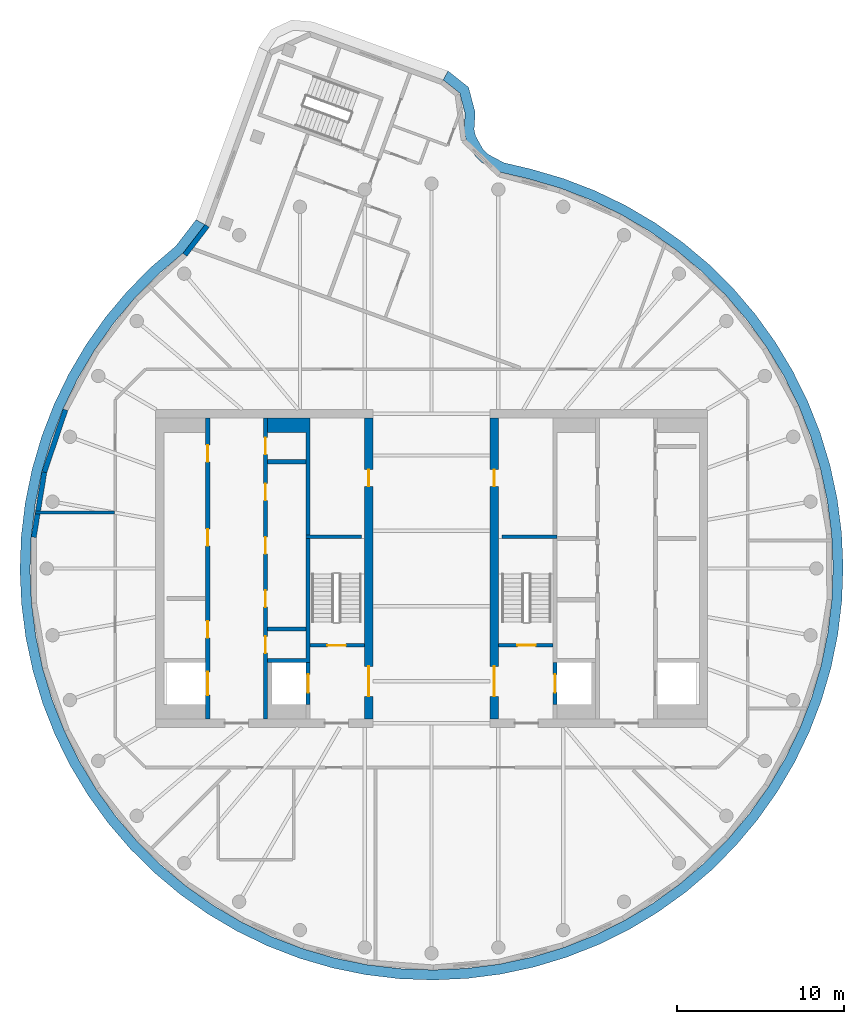
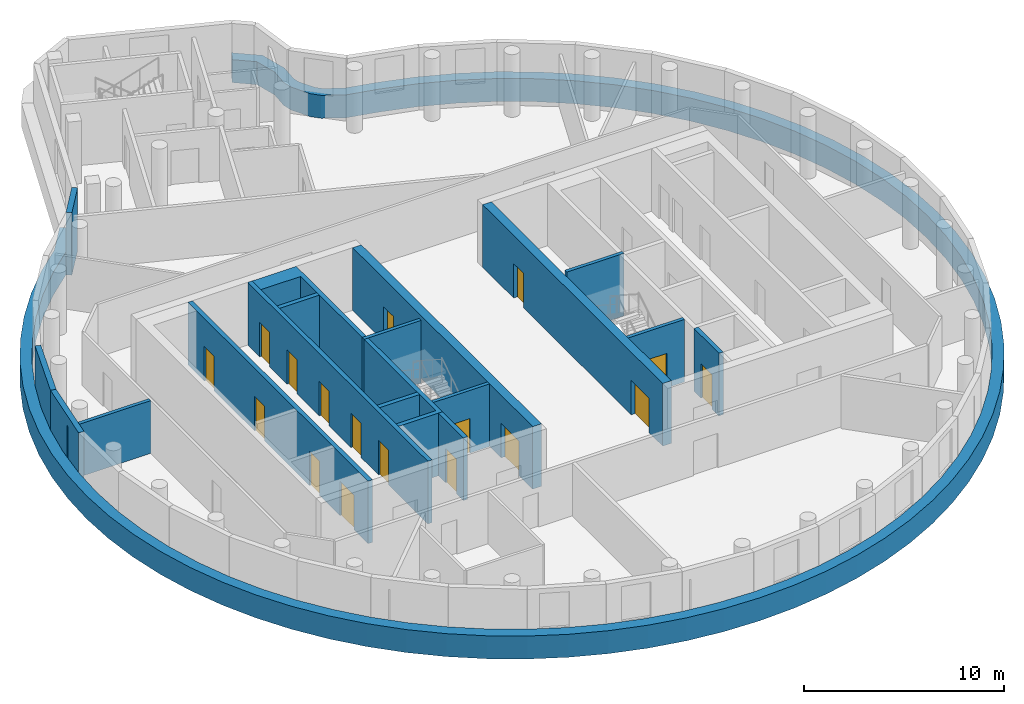
# One storey, part 3 of 7: 17 doors, 17 walls, 1 member, 17 openings.
"""IFC4 building model written with IfcOpenShell, lengths in metres."""

from ifc_helpers import new_model, si_unit, direction, frame, frame_2d, origin, place, context, subcontext, project, spatial, polyline, rectangle, outline, extrude, material, layer, layer_set, type_object, element, fill, aggregate, save


model = new_model("IFC4")

# Units and contexts
model_context = context("Model", 3, precision=1e-05, world=origin(), true_north=direction((0.0, 1.0)))
body_context = subcontext(model_context, "Body", "Model", "MODEL_VIEW")
ifc_project = project(units=[si_unit("LENGTHUNIT", "METRE"), si_unit("AREAUNIT", "SQUARE_METRE"), si_unit("VOLUMEUNIT", "CUBIC_METRE"), si_unit("PLANEANGLEUNIT", "RADIAN"), si_unit("MASSUNIT", "GRAM", prefix="KILO")], contexts=[model_context])

# Member
ifc_material_1 = material(Name="Aluminium and insulated spandrel panel", Category="aluminium")
member_type = type_object("IfcMemberType", Name="Floor-edge blade transom", PredefinedType="USERDEFINED", material=ifc_material_1)
site_placement = place(None, origin())
building_placement = place(site_placement, origin())
storey_placement = place(building_placement, frame((0.0, 0.0, 321.39990234375)))
member_placement = place(storey_placement, origin())
member = element("IfcMember", 1, at=member_placement, type_object=member_type, Name="CWT-L79-02", ObjectType="TRANSOM", PredefinedType="USERDEFINED", context=body_context, shape_type="SweptSolid", body=[
    extrude(outline(polyline([(-13.54248046875, 20.54736328125), (-14.847900390625, 18.848876953125), (-16.327880859375, 17.584228515625), (-17.72412109375, 16.17578125), (-18.99951171875, 14.656982421875), (-20.14501953125, 13.0380859375), (-21.15283203125, 11.329833984375), (-22.01611328125, 9.54443359375), (-22.72900390625, 7.69384765625), (-23.286865234375, 5.79052734375), (-23.685546875, 3.84765625), (-23.92236328125, 1.878662109375), (-23.995849609375, -0.103271484375), (-23.9052734375, -2.08447265625), (-23.6513671875, -4.051513671875), (-23.236083984375, -5.99072265625), (-22.662109375, -7.88916015625), (-21.93310546875, -9.733642578125), (-21.054443359375, -11.511474609375), (-20.031982421875, -13.2109375), (-18.87255859375, -14.820068359375), (-17.584228515625, -16.327880859375), (-16.17578125, -17.72412109375), (-14.656982421875, -18.99951171875), (-13.0380859375, -20.14501953125), (-11.329833984375, -21.15283203125), (-9.54443359375, -22.01611328125), (-7.69384765625, -22.72900390625), (-5.79052734375, -23.286865234375), (-3.84765625, -23.685546875), (-1.878662109375, -23.92236328125), (0.103271484375, -23.995849609375), (2.08447265625, -23.9052734375), (4.051513671875, -23.6513671875), (5.99072265625, -23.236083984375), (7.88916015625, -22.662109375), (9.733642578125, -21.93310546875), (11.511474609375, -21.054443359375), (13.2109375, -20.031982421875), (14.820068359375, -18.87255859375), (16.327880859375, -17.584228515625), (17.72412109375, -16.17578125), (18.99951171875, -14.656982421875), (20.14501953125, -13.0380859375), (21.15283203125, -11.329833984375), (22.01611328125, -9.54443359375), (22.72900390625, -7.69384765625), (23.286865234375, -5.79052734375), (23.685546875, -3.84765625), (23.92236328125, -1.878662109375), (23.995849609375, 0.103271484375), (23.9052734375, 2.08447265625), (23.6513671875, 4.051513671875), (23.236083984375, 5.99072265625), (22.662109375, 7.88916015625), (21.93310546875, 9.733642578125), (21.054443359375, 11.511474609375), (20.031982421875, 13.2109375), (18.87255859375, 14.820068359375), (17.584228515625, 16.327880859375), (16.17578125, 17.72412109375), (14.656982421875, 18.99951171875), (13.0380859375, 20.14501953125), (11.329833984375, 21.15283203125), (9.54443359375, 22.01611328125), (7.69384765625, 22.72900390625), (5.79052734375, 23.286865234375), (4.106689453125, 23.68115234375), (2.99658203125, 24.276123046875), (2.603515625, 24.663330078125), (2.0615234375, 25.6376953125), (1.940185546875, 26.176025390625), (2.004638671875, 27.190673828125), (1.6826171875, 28.412353515625), (0.692626953125, 29.197021484375), (0.9892578125, 29.7275390625), (2.2119140625, 28.75830078125), (2.609619140625, 27.249755859375), (2.54443359375, 26.223876953125), (2.6279296875, 25.85400390625), (3.0859375, 25.0302734375), (3.356201171875, 24.76416015625), (4.3203125, 24.247314453125), (5.943359375, 23.8671875), (7.88623046875, 23.2978515625), (9.783203125, 22.567138671875), (11.613525390625, 21.68212890625), (13.3642578125, 20.64892578125), (15.023681640625, 19.474853515625), (16.580810546875, 18.167724609375), (18.0244140625, 16.736572265625), (19.344970703125, 15.19091796875), (20.533203125, 13.54150390625), (21.581298828125, 11.799560546875), (22.482177734375, 9.97705078125), (23.229248046875, 8.08642578125), (23.817626953125, 6.140625), (24.243408203125, 4.15283203125), (24.50341796875, 2.13671875), (24.59619140625, 0.10595703125), (24.52099609375, -1.925537109375), (24.2783203125, -3.944091796875), (23.86962890625, -5.935302734375), (23.2978515625, -7.88623046875), (22.567138671875, -9.783203125), (21.68212890625, -11.613525390625), (20.64892578125, -13.3642578125), (19.474853515625, -15.023681640625), (18.167724609375, -16.580810546875), (16.736572265625, -18.0244140625), (15.19091796875, -19.344970703125), (13.54150390625, -20.533203125), (11.799560546875, -21.581298828125), (9.97705078125, -22.482177734375), (8.08642578125, -23.229248046875), (6.140625, -23.817626953125), (4.15283203125, -24.243408203125), (2.13671875, -24.50341796875), (0.10595703125, -24.59619140625), (-1.925537109375, -24.52099609375), (-3.944091796875, -24.2783203125), (-5.935302734375, -23.86962890625), (-7.88623046875, -23.2978515625), (-9.783203125, -22.567138671875), (-11.613525390625, -21.68212890625), (-13.3642578125, -20.64892578125), (-15.023681640625, -19.474853515625), (-16.580810546875, -18.167724609375), (-18.0244140625, -16.736572265625), (-19.344970703125, -15.19091796875), (-20.533203125, -13.54150390625), (-21.581298828125, -11.799560546875), (-22.482177734375, -9.97705078125), (-23.229248046875, -8.08642578125), (-23.817626953125, -6.140625), (-24.243408203125, -4.15283203125), (-24.50341796875, -2.13671875), (-24.59619140625, -0.10595703125), (-24.52099609375, 1.925537109375), (-24.2783203125, 3.944091796875), (-23.86962890625, 5.935302734375), (-23.2978515625, 7.88623046875), (-22.567138671875, 9.783203125), (-21.68212890625, 11.613525390625), (-20.64892578125, 13.3642578125), (-19.474853515625, 15.023681640625), (-18.167724609375, 16.580810546875), (-16.736572265625, 18.0244140625), (-15.285400390625, 19.264404296875), (-14.07470703125, 20.839599609375), (-13.54248046875, 20.54736328125)])), origin(), (0.0, 0.0, 1.0), 1.400146484375),
])

# Site, building, storey
site = spatial("IfcSite", under=ifc_project, at=site_placement, CompositionType="ELEMENT")
building = spatial("IfcBuilding", under=site, at=building_placement, Name="Tamarind Cross Interchange Tower", CompositionType="ELEMENT")
storey = spatial("IfcBuildingStorey", under=building, at=storey_placement, Name="L79", CompositionType="ELEMENT", Elevation=321.39990234375)

# Wall, openings, doors
ifc_material_2 = material(Name="Concrete C50", Category="concrete")
ifc_layer_1 = layer(ifc_material_2, 0.5)
ifc_layer_set_1 = layer_set([ifc_layer_1], Name="Concrete C50")
wall_type_1 = type_object("IfcWallType", Name="Core wall 500 mm Concrete C50", PredefinedType="SHEAR", material=ifc_layer_set_1)
wall_1_placement = place(storey_placement, frame((-3.75, -9.0, 0.0), z_axis=(0.0, 0.0, 1.0), x_axis=(0.0, 1.0, 0.0)))
wall_1 = element("IfcWall", 2, at=wall_1_placement, inside=storey, type_object=wall_type_1, Name="Core wall CWL-L79-W-IN", PredefinedType="SHEAR", context=body_context, shape_type="SweptSolid", body=[
    extrude(rectangle(XDim=18.0, YDim=0.5, at=frame_2d((9.0, 0.0))), origin(), (0.0, 0.0, 1.0), 3.820068359375),
])
opening_1_placement = place(wall_1_placement, frame((1.35009765625, 0.0, 0.0)))
opening_1 = element("IfcOpeningElement", 3, at=opening_1_placement, cuts=wall_1, Name="Opening DCW4", PredefinedType="OPENING", context=body_context, shape_type="SweptSolid", body=[
    extrude(rectangle(XDim=1.800048828125, YDim=2.10009765625, at=frame_2d((0.89990234375, 1.050048828125))), frame((0.0, 0.260009765625, 0.0), z_axis=(0.0, -1.0, 0.0), x_axis=(1.0, 0.0, 0.0)), (0.0, 0.0, 1.0), 0.52001953125),
])
opening_2_placement = place(wall_1_placement, frame((13.89990234375, 0.0, 0.0)))
opening_2 = element("IfcOpeningElement", 4, at=opening_2_placement, cuts=wall_1, Name="Opening DCW5", PredefinedType="OPENING", context=body_context, shape_type="SweptSolid", body=[
    extrude(rectangle(XDim=1.0, YDim=2.10009765625, at=frame_2d((0.5, 1.050048828125))), frame((0.0, 0.260009765625, 0.0), z_axis=(0.0, -1.0, 0.0), x_axis=(1.0, 0.0, 0.0)), (0.0, 0.0, 1.0), 0.52001953125),
])
ifc_material_3 = material(Name="Steel, fire-resisting", Category="steel")
door_type_1 = type_object("IfcDoorType", Name="Core fire door 1000 x 2100 FD90", OperationType="SINGLE_SWING_LEFT", PredefinedType="DOOR", material=ifc_material_3)
door_1_placement = place(opening_2_placement, origin())
door_1 = element("IfcDoor", 5, at=door_1_placement, inside=storey, type_object=door_type_1, Name="L79 riser room door", OperationType="SINGLE_SWING_LEFT", OverallHeight=2.10009765625, OverallWidth=1.0, PredefinedType="DOOR", context=body_context, shape_type="SweptSolid", body=[
    extrude(rectangle(XDim=1.0, YDim=2.10009765625, at=frame_2d((0.5, 1.050048828125))), frame((0.0, 0.02490234375, 0.0), z_axis=(0.0, -1.0, 0.0), x_axis=(1.0, 0.0, 0.0)), (0.0, 0.0, 1.0), 0.050048828125),
])
fill(opening_2, door_1)
door_type_2 = type_object("IfcDoorType", Name="Core fire door 1800 x 2100 FD90", OperationType="SINGLE_SWING_LEFT", PredefinedType="DOOR", material=ifc_material_3)
door_2_placement = place(opening_1_placement, origin())
door_2 = element("IfcDoor", 6, at=door_2_placement, inside=storey, type_object=door_type_2, Name="L79 firefighting lobby door", OperationType="SINGLE_SWING_LEFT", OverallHeight=2.10009765625, OverallWidth=1.800048828125, PredefinedType="DOOR", context=body_context, shape_type="SweptSolid", body=[
    extrude(rectangle(XDim=1.800048828125, YDim=2.10009765625, at=frame_2d((0.89990234375, 1.050048828125))), frame((0.0, 0.02490234375, 0.0), z_axis=(0.0, -1.0, 0.0), x_axis=(1.0, 0.0, 0.0)), (0.0, 0.0, 1.0), 0.050048828125),
])
fill(opening_1, door_2)

wall_2_placement = place(storey_placement, frame((3.75, -9.0, 0.0), z_axis=(0.0, 0.0, 1.0), x_axis=(0.0, 1.0, 0.0)))
wall_2 = element("IfcWall", 7, at=wall_2_placement, inside=storey, type_object=wall_type_1, Name="Core wall CWL-L79-E-IN", PredefinedType="SHEAR", context=body_context, shape_type="SweptSolid", body=[
    extrude(rectangle(XDim=18.0, YDim=0.5, at=frame_2d((9.0, 0.0))), origin(), (0.0, 0.0, 1.0), 3.820068359375),
])
opening_3_placement = place(wall_2_placement, frame((1.35009765625, 0.0, 0.0)))
opening_3 = element("IfcOpeningElement", 8, at=opening_3_placement, cuts=wall_2, Name="Opening DCE4", PredefinedType="OPENING", context=body_context, shape_type="SweptSolid", body=[
    extrude(rectangle(XDim=1.800048828125, YDim=2.10009765625, at=frame_2d((0.89990234375, 1.050048828125))), frame((0.0, 0.260009765625, 0.0), z_axis=(0.0, -1.0, 0.0), x_axis=(1.0, 0.0, 0.0)), (0.0, 0.0, 1.0), 0.52001953125),
])
opening_4_placement = place(wall_2_placement, frame((13.89990234375, 0.0, 0.0)))
opening_4 = element("IfcOpeningElement", 9, at=opening_4_placement, cuts=wall_2, Name="Opening DCE5", PredefinedType="OPENING", context=body_context, shape_type="SweptSolid", body=[
    extrude(rectangle(XDim=1.0, YDim=2.10009765625, at=frame_2d((0.5, 1.050048828125))), frame((0.0, 0.260009765625, 0.0), z_axis=(0.0, -1.0, 0.0), x_axis=(1.0, 0.0, 0.0)), (0.0, 0.0, 1.0), 0.52001953125),
])
door_3_placement = place(opening_4_placement, origin())
door_3 = element("IfcDoor", 10, at=door_3_placement, inside=storey, type_object=door_type_1, Name="L79 riser room door", OperationType="SINGLE_SWING_LEFT", OverallHeight=2.10009765625, OverallWidth=1.0, PredefinedType="DOOR", context=body_context, shape_type="SweptSolid", body=[
    extrude(rectangle(XDim=1.0, YDim=2.10009765625, at=frame_2d((0.5, 1.050048828125))), frame((0.0, 0.02490234375, 0.0), z_axis=(0.0, -1.0, 0.0), x_axis=(1.0, 0.0, 0.0)), (0.0, 0.0, 1.0), 0.050048828125),
])
fill(opening_4, door_3)
door_4_placement = place(opening_3_placement, origin())
door_4 = element("IfcDoor", 11, at=door_4_placement, inside=storey, type_object=door_type_2, Name="L79 firefighting lobby door", OperationType="SINGLE_SWING_LEFT", OverallHeight=2.10009765625, OverallWidth=1.800048828125, PredefinedType="DOOR", context=body_context, shape_type="SweptSolid", body=[
    extrude(rectangle(XDim=1.800048828125, YDim=2.10009765625, at=frame_2d((0.89990234375, 1.050048828125))), frame((0.0, 0.02490234375, 0.0), z_axis=(0.0, -1.0, 0.0), x_axis=(1.0, 0.0, 0.0)), (0.0, 0.0, 1.0), 0.050048828125),
])
fill(opening_3, door_4)

# Walls
ifc_layer_2 = layer(ifc_material_2, 0.199951171875)
ifc_layer_set_2 = layer_set([ifc_layer_2], Name="Concrete C50")
wall_type_2 = type_object("IfcWallType", Name="Core web wall 200 mm Concrete C50", PredefinedType="SHEAR", material=ifc_layer_set_2)
for number, where, z_axis, x_axis, name in (
    (12, (-7.5, 1.89990234375, 0.0), (0.0, 0.0, 1.0), (1.0, 0.0, 0.0), "Core wall CWL-L79-W-BD"),
    (13, (7.5, 1.89990234375, 0.0), (0.0, 0.0, 1.0), (-1.0, 0.0, 0.0), "Core wall CWL-L79-E-BD"),
):
    element("IfcWall", number, at=place(storey_placement, frame(where, z_axis=z_axis, x_axis=x_axis)), inside=storey, type_object=wall_type_2, Name=name, PredefinedType="SHEAR", context=body_context, shape_type="SweptSolid", body=[
        extrude(rectangle(XDim=3.300048828125, YDim=0.199951171875, at=frame_2d((1.64990234375, 0.0))), origin(), (0.0, 0.0, 1.0), 3.820068359375),
    ])
ifc_layer_3 = layer(ifc_material_2, 0.25)
ifc_layer_set_3 = layer_set([ifc_layer_3], Name="Concrete C50")
wall_type_3 = type_object("IfcWallType", Name="Core web wall 250 mm Concrete C50", PredefinedType="SHEAR", material=ifc_layer_set_3)
wall_3_placement = place(storey_placement, origin())
element("IfcWall", 14, at=wall_3_placement, inside=storey, type_object=wall_type_3, Name="Core wall CWL-L79-W-BN", PredefinedType="SHEAR", context=body_context, shape_type="SweptSolid", body=[
    extrude(outline(polyline([(-9.800048828125, -5.625), (-7.5, -5.625), (-7.25, -5.625), (-7.25, 9.0), (-7.5, 9.0), (-9.800048828125, 9.0), (-9.800048828125, 8.125), (-7.5, 8.125), (-7.5, -5.375), (-9.800048828125, -5.375), (-9.800048828125, -5.625)])), origin(), (0.0, 0.0, 1.0), 3.820068359375),
])

# Wall, openings, doors
wall_4_placement = place(storey_placement, frame((-13.375, -9.0, 0.0), z_axis=(0.0, 0.0, 1.0), x_axis=(0.0, 1.0, 0.0)))
wall_4 = element("IfcWall", 15, at=wall_4_placement, inside=storey, type_object=wall_type_3, Name="Core wall CWL-L79-W-LA", PredefinedType="SHEAR", context=body_context, shape_type="SweptSolid", body=[
    extrude(rectangle(XDim=18.0, YDim=0.25, at=frame_2d((9.0, 0.0))), origin(), (0.0, 0.0, 1.0), 3.820068359375),
])
opening_5_placement = place(wall_4_placement, frame((1.425048828125, 0.0, 0.0)))
opening_5 = element("IfcOpeningElement", 16, at=opening_5_placement, cuts=wall_4, Name="Opening LD1L79", PredefinedType="OPENING", context=body_context, shape_type="SweptSolid", body=[
    extrude(rectangle(XDim=1.39990234375, YDim=2.10009765625, at=frame_2d((0.699951171875, 1.050048828125))), frame((0.0, 0.135009765625, 0.0), z_axis=(0.0, -1.0, 0.0), x_axis=(1.0, 0.0, 0.0)), (0.0, 0.0, 1.0), 0.27001953125),
])
opening_6_placement = place(wall_4_placement, frame((4.85400390625, 0.0, 0.0)))
opening_6 = element("IfcOpeningElement", 17, at=opening_6_placement, cuts=wall_4, Name="Opening DCW9", PredefinedType="OPENING", context=body_context, shape_type="SweptSolid", body=[
    extrude(rectangle(XDim=1.0, YDim=2.10009765625, at=frame_2d((0.5, 1.050048828125))), frame((0.0, 0.135009765625, 0.0), z_axis=(0.0, -1.0, 0.0), x_axis=(1.0, 0.0, 0.0)), (0.0, 0.0, 1.0), 0.27001953125),
])
opening_7_placement = place(wall_4_placement, frame((10.35400390625, 0.0, 0.0)))
opening_7 = element("IfcOpeningElement", 18, at=opening_7_placement, cuts=wall_4, Name="Opening DCW10", PredefinedType="OPENING", context=body_context, shape_type="SweptSolid", body=[
    extrude(rectangle(XDim=1.0, YDim=2.10009765625, at=frame_2d((0.5, 1.050048828125))), frame((0.0, 0.135009765625, 0.0), z_axis=(0.0, -1.0, 0.0), x_axis=(1.0, 0.0, 0.0)), (0.0, 0.0, 1.0), 0.27001953125),
])
opening_8_placement = place(wall_4_placement, frame((15.375, 0.0, 0.0)))
opening_8 = element("IfcOpeningElement", 19, at=opening_8_placement, cuts=wall_4, Name="Opening DCW17", PredefinedType="OPENING", context=body_context, shape_type="SweptSolid", body=[
    extrude(rectangle(XDim=1.0, YDim=2.10009765625, at=frame_2d((0.5, 1.050048828125))), frame((0.0, 0.135009765625, 0.0), z_axis=(0.0, -1.0, 0.0), x_axis=(1.0, 0.0, 0.0)), (0.0, 0.0, 1.0), 0.27001953125),
])
door_5_placement = place(opening_6_placement, origin())
door_5 = element("IfcDoor", 20, at=door_5_placement, inside=storey, type_object=door_type_1, Name="L79 Storage room door", OperationType="SINGLE_SWING_LEFT", OverallHeight=2.10009765625, OverallWidth=1.0, PredefinedType="DOOR", context=body_context, shape_type="SweptSolid", body=[
    extrude(rectangle(XDim=1.0, YDim=2.10009765625, at=frame_2d((0.5, 1.050048828125))), frame((0.0, 0.02490234375, 0.0), z_axis=(0.0, -1.0, 0.0), x_axis=(1.0, 0.0, 0.0)), (0.0, 0.0, 1.0), 0.050048828125),
])
fill(opening_6, door_5)
door_6_placement = place(opening_7_placement, origin())
door_6 = element("IfcDoor", 21, at=door_6_placement, inside=storey, type_object=door_type_1, Name="L79 Battery room door", OperationType="SINGLE_SWING_LEFT", OverallHeight=2.10009765625, OverallWidth=1.0, PredefinedType="DOOR", context=body_context, shape_type="SweptSolid", body=[
    extrude(rectangle(XDim=1.0, YDim=2.10009765625, at=frame_2d((0.5, 1.050048828125))), frame((0.0, 0.02490234375, 0.0), z_axis=(0.0, -1.0, 0.0), x_axis=(1.0, 0.0, 0.0)), (0.0, 0.0, 1.0), 0.050048828125),
])
fill(opening_7, door_6)
door_7_placement = place(opening_8_placement, origin())
door_7 = element("IfcDoor", 22, at=door_7_placement, inside=storey, type_object=door_type_1, Name="L79 Plant room door", OperationType="SINGLE_SWING_LEFT", OverallHeight=2.10009765625, OverallWidth=1.0, PredefinedType="DOOR", context=body_context, shape_type="SweptSolid", body=[
    extrude(rectangle(XDim=1.0, YDim=2.10009765625, at=frame_2d((0.5, 1.050048828125))), frame((0.0, 0.02490234375, 0.0), z_axis=(0.0, -1.0, 0.0), x_axis=(1.0, 0.0, 0.0)), (0.0, 0.0, 1.0), 0.050048828125),
])
fill(opening_8, door_7)
ifc_material_4 = material(Name="Stainless steel panel", Category="steel")
door_type_3 = type_object("IfcDoorType", Name="Lift landing door 1400 x 2100 E 120", OperationType="SLIDING_TO_LEFT", PredefinedType="DOOR", material=ifc_material_4)
door_8_placement = place(opening_5_placement, origin())
door_8 = element("IfcDoor", 23, at=door_8_placement, inside=storey, type_object=door_type_3, Name="L79 landing door LF1", OperationType="SLIDING_TO_LEFT", OverallHeight=2.10009765625, OverallWidth=1.39990234375, PredefinedType="DOOR", context=body_context, shape_type="SweptSolid", body=[
    extrude(rectangle(XDim=1.39990234375, YDim=2.10009765625, at=frame_2d((0.699951171875, 1.050048828125))), frame((0.0, 0.02490234375, 0.0), z_axis=(0.0, -1.0, 0.0), x_axis=(1.0, 0.0, 0.0)), (0.0, 0.0, 1.0), 0.050048828125),
])
fill(opening_5, door_8)

wall_5_placement = place(storey_placement, frame((-9.925048828125, -9.0, 0.0), z_axis=(0.0, 0.0, 1.0), x_axis=(0.0, 1.0, 0.0)))
wall_5 = element("IfcWall", 24, at=wall_5_placement, inside=storey, type_object=wall_type_3, Name="Core wall CWL-L79-W-LB", PredefinedType="SHEAR", context=body_context, shape_type="SweptSolid", body=[
    extrude(rectangle(XDim=18.0, YDim=0.25, at=frame_2d((9.0, 0.0))), origin(), (0.0, 0.0, 1.0), 3.820068359375),
])
opening_9_placement = place(wall_5_placement, frame((3.9375, 0.0, 0.0)))
opening_9 = element("IfcOpeningElement", 25, at=opening_9_placement, cuts=wall_5, Name="Opening DCW21", PredefinedType="OPENING", context=body_context, shape_type="SweptSolid", body=[
    extrude(rectangle(XDim=1.0, YDim=2.10009765625, at=frame_2d((0.5, 1.050048828125))), frame((0.0, 0.135009765625, 0.0), z_axis=(0.0, -1.0, 0.0), x_axis=(1.0, 0.0, 0.0)), (0.0, 0.0, 1.0), 0.27001953125),
])
opening_10_placement = place(wall_5_placement, frame((6.6875, 0.0, 0.0)))
opening_10 = element("IfcOpeningElement", 26, at=opening_10_placement, cuts=wall_5, Name="Opening DCW22", PredefinedType="OPENING", context=body_context, shape_type="SweptSolid", body=[
    extrude(rectangle(XDim=1.0, YDim=2.10009765625, at=frame_2d((0.5, 1.050048828125))), frame((0.0, 0.135009765625, 0.0), z_axis=(0.0, -1.0, 0.0), x_axis=(1.0, 0.0, 0.0)), (0.0, 0.0, 1.0), 0.27001953125),
])
opening_11_placement = place(wall_5_placement, frame((9.875, 0.0, 0.0)))
opening_11 = element("IfcOpeningElement", 27, at=opening_11_placement, cuts=wall_5, Name="Opening DCW21", PredefinedType="OPENING", context=body_context, shape_type="SweptSolid", body=[
    extrude(rectangle(XDim=1.0, YDim=2.10009765625, at=frame_2d((0.5, 1.050048828125))), frame((0.0, 0.135009765625, 0.0), z_axis=(0.0, -1.0, 0.0), x_axis=(1.0, 0.0, 0.0)), (0.0, 0.0, 1.0), 0.27001953125),
])
opening_12_placement = place(wall_5_placement, frame((13.0625, 0.0, 0.0)))
opening_12 = element("IfcOpeningElement", 28, at=opening_12_placement, cuts=wall_5, Name="Opening DCW21", PredefinedType="OPENING", context=body_context, shape_type="SweptSolid", body=[
    extrude(rectangle(XDim=1.0, YDim=2.10009765625, at=frame_2d((0.5, 1.050048828125))), frame((0.0, 0.135009765625, 0.0), z_axis=(0.0, -1.0, 0.0), x_axis=(1.0, 0.0, 0.0)), (0.0, 0.0, 1.0), 0.27001953125),
])
opening_13_placement = place(wall_5_placement, frame((15.8125, 0.0, 0.0)))
opening_13 = element("IfcOpeningElement", 29, at=opening_13_placement, cuts=wall_5, Name="Opening DCW22", PredefinedType="OPENING", context=body_context, shape_type="SweptSolid", body=[
    extrude(rectangle(XDim=1.0, YDim=2.10009765625, at=frame_2d((0.5, 1.050048828125))), frame((0.0, 0.135009765625, 0.0), z_axis=(0.0, -1.0, 0.0), x_axis=(1.0, 0.0, 0.0)), (0.0, 0.0, 1.0), 0.27001953125),
])
door_9_placement = place(opening_9_placement, origin())
door_9 = element("IfcDoor", 30, at=door_9_placement, inside=storey, type_object=door_type_1, Name="L79 Switch room door", OperationType="SINGLE_SWING_LEFT", OverallHeight=2.10009765625, OverallWidth=1.0, PredefinedType="DOOR", context=body_context, shape_type="SweptSolid", body=[
    extrude(rectangle(XDim=1.0, YDim=2.10009765625, at=frame_2d((0.5, 1.050048828125))), frame((0.0, 0.02490234375, 0.0), z_axis=(0.0, -1.0, 0.0), x_axis=(1.0, 0.0, 0.0)), (0.0, 0.0, 1.0), 0.050048828125),
])
fill(opening_9, door_9)
door_10_placement = place(opening_10_placement, origin())
door_10 = element("IfcDoor", 31, at=door_10_placement, inside=storey, type_object=door_type_1, Name="L79 Pump room door", OperationType="SINGLE_SWING_LEFT", OverallHeight=2.10009765625, OverallWidth=1.0, PredefinedType="DOOR", context=body_context, shape_type="SweptSolid", body=[
    extrude(rectangle(XDim=1.0, YDim=2.10009765625, at=frame_2d((0.5, 1.050048828125))), frame((0.0, 0.02490234375, 0.0), z_axis=(0.0, -1.0, 0.0), x_axis=(1.0, 0.0, 0.0)), (0.0, 0.0, 1.0), 0.050048828125),
])
fill(opening_10, door_10)
door_11_placement = place(opening_11_placement, origin())
door_11 = element("IfcDoor", 32, at=door_11_placement, inside=storey, type_object=door_type_1, Name="L79 Pump room door", OperationType="SINGLE_SWING_LEFT", OverallHeight=2.10009765625, OverallWidth=1.0, PredefinedType="DOOR", context=body_context, shape_type="SweptSolid", body=[
    extrude(rectangle(XDim=1.0, YDim=2.10009765625, at=frame_2d((0.5, 1.050048828125))), frame((0.0, 0.02490234375, 0.0), z_axis=(0.0, -1.0, 0.0), x_axis=(1.0, 0.0, 0.0)), (0.0, 0.0, 1.0), 0.050048828125),
])
fill(opening_11, door_11)
door_12_placement = place(opening_12_placement, origin())
door_12 = element("IfcDoor", 33, at=door_12_placement, inside=storey, type_object=door_type_1, Name="L79 Battery room door", OperationType="SINGLE_SWING_LEFT", OverallHeight=2.10009765625, OverallWidth=1.0, PredefinedType="DOOR", context=body_context, shape_type="SweptSolid", body=[
    extrude(rectangle(XDim=1.0, YDim=2.10009765625, at=frame_2d((0.5, 1.050048828125))), frame((0.0, 0.02490234375, 0.0), z_axis=(0.0, -1.0, 0.0), x_axis=(1.0, 0.0, 0.0)), (0.0, 0.0, 1.0), 0.050048828125),
])
fill(opening_12, door_12)
door_13_placement = place(opening_13_placement, origin())
door_13 = element("IfcDoor", 34, at=door_13_placement, inside=storey, type_object=door_type_1, Name="L79 Switch room door", OperationType="SINGLE_SWING_LEFT", OverallHeight=2.10009765625, OverallWidth=1.0, PredefinedType="DOOR", context=body_context, shape_type="SweptSolid", body=[
    extrude(rectangle(XDim=1.0, YDim=2.10009765625, at=frame_2d((0.5, 1.050048828125))), frame((0.0, 0.02490234375, 0.0), z_axis=(0.0, -1.0, 0.0), x_axis=(1.0, 0.0, 0.0)), (0.0, 0.0, 1.0), 0.050048828125),
])
fill(opening_13, door_13)

# Wall, opening, door
wall_6_placement = place(storey_placement, frame((-7.375, -8.125, 0.0), z_axis=(0.0, 0.0, 1.0), x_axis=(0.0, 1.0, 0.0)))
wall_6 = element("IfcWall", 35, at=wall_6_placement, inside=storey, type_object=wall_type_3, Name="Core wall CWL-L79-W-FF", PredefinedType="SHEAR", context=body_context, shape_type="SweptSolid", body=[
    extrude(rectangle(XDim=2.5, YDim=0.25, at=frame_2d((1.25, 0.0))), origin(), (0.0, 0.0, 1.0), 3.820068359375),
])
opening_14_placement = place(wall_6_placement, frame((0.699951171875, 0.0, 0.0)))
opening_14 = element("IfcOpeningElement", 36, at=opening_14_placement, cuts=wall_6, Name="Opening LD7L79", PredefinedType="OPENING", context=body_context, shape_type="SweptSolid", body=[
    extrude(rectangle(XDim=1.10009765625, YDim=2.10009765625, at=frame_2d((0.550048828125, 1.050048828125))), frame((0.0, 0.135009765625, 0.0), z_axis=(0.0, -1.0, 0.0), x_axis=(1.0, 0.0, 0.0)), (0.0, 0.0, 1.0), 0.27001953125),
])
door_type_4 = type_object("IfcDoorType", Name="Lift landing door 1100 x 2100 E 120", OperationType="SLIDING_TO_LEFT", PredefinedType="DOOR", material=ifc_material_4)
door_14_placement = place(opening_14_placement, origin())
door_14 = element("IfcDoor", 37, at=door_14_placement, inside=storey, type_object=door_type_4, Name="L79 landing door LF7", OperationType="SLIDING_TO_LEFT", OverallHeight=2.10009765625, OverallWidth=1.10009765625, PredefinedType="DOOR", context=body_context, shape_type="SweptSolid", body=[
    extrude(rectangle(XDim=1.10009765625, YDim=2.10009765625, at=frame_2d((0.550048828125, 1.050048828125))), frame((0.0, 0.02490234375, 0.0), z_axis=(0.0, -1.0, 0.0), x_axis=(1.0, 0.0, 0.0)), (0.0, 0.0, 1.0), 0.050048828125),
])
fill(opening_14, door_14)

wall_7_placement = place(storey_placement, frame((7.375, -8.125, 0.0), z_axis=(0.0, 0.0, 1.0), x_axis=(0.0, 1.0, 0.0)))
wall_7 = element("IfcWall", 38, at=wall_7_placement, inside=storey, type_object=wall_type_3, Name="Core wall CWL-L79-E-FF", PredefinedType="SHEAR", context=body_context, shape_type="SweptSolid", body=[
    extrude(rectangle(XDim=2.5, YDim=0.25, at=frame_2d((1.25, 0.0))), origin(), (0.0, 0.0, 1.0), 3.820068359375),
])
opening_15_placement = place(wall_7_placement, frame((0.699951171875, 0.0, 0.0)))
opening_15 = element("IfcOpeningElement", 39, at=opening_15_placement, cuts=wall_7, Name="Opening LD19L79", PredefinedType="OPENING", context=body_context, shape_type="SweptSolid", body=[
    extrude(rectangle(XDim=1.10009765625, YDim=2.10009765625, at=frame_2d((0.550048828125, 1.050048828125))), frame((0.0, 0.135009765625, 0.0), z_axis=(0.0, -1.0, 0.0), x_axis=(1.0, 0.0, 0.0)), (0.0, 0.0, 1.0), 0.27001953125),
])
door_15_placement = place(opening_15_placement, origin())
door_15 = element("IfcDoor", 40, at=door_15_placement, inside=storey, type_object=door_type_4, Name="L79 landing door LF19", OperationType="SLIDING_TO_LEFT", OverallHeight=2.10009765625, OverallWidth=1.10009765625, PredefinedType="DOOR", context=body_context, shape_type="SweptSolid", body=[
    extrude(rectangle(XDim=1.10009765625, YDim=2.10009765625, at=frame_2d((0.550048828125, 1.050048828125))), frame((0.0, 0.02490234375, 0.0), z_axis=(0.0, -1.0, 0.0), x_axis=(1.0, 0.0, 0.0)), (0.0, 0.0, 1.0), 0.050048828125),
])
fill(opening_15, door_15)

# Wall
ifc_material_5 = material(Name="Gypsum board partition on steel studs", Category="steel")
ifc_layer_4 = layer(ifc_material_5, 0.199951171875)
ifc_layer_set_4 = layer_set([ifc_layer_4], Name="Gypsum board partition on steel studs")
wall_type_4 = type_object("IfcWallType", Name="Partition 200 mm EI 180", PredefinedType="PARTITIONING", material=ifc_layer_set_4)
wall_8_placement = place(storey_placement, frame((-23.68310546875, 3.347900390625, 0.0), z_axis=(0.0, 0.0, 1.0), x_axis=(1.0, 0.0, 0.0)))
element("IfcWall", 41, at=wall_8_placement, inside=storey, type_object=wall_type_4, Name="Partition L79-012", PredefinedType="PARTITIONING", context=body_context, shape_type="SweptSolid", body=[
    extrude(rectangle(XDim=4.72802734375, YDim=0.199951171875, at=frame_2d((2.364013671875, 0.0))), origin(), (0.0, 0.0, 1.0), 3.22021484375),
])

ifc_material_6 = material(Name="Precast concrete C40", Category="concrete")
ifc_layer_5 = layer(ifc_material_6, 0.300048828125)
ifc_layer_set_5 = layer_set([ifc_layer_5], Name="Precast concrete C40")
wall_type_5 = type_object("IfcWallType", Name="Plant louvre wall", PredefinedType="SOLIDWALL", material=ifc_layer_set_5)
wall_9_placement = place(storey_placement, frame((-13.409423828125, 20.474365234375, 0.0), z_axis=(0.0, 0.0, 1.0), x_axis=(-0.609396950442, -0.792865282877, 0.0)))
wall_9 = element("IfcWall", 42, at=wall_9_placement, inside=storey, type_object=wall_type_5, Name="EXW-L79-02-00", PredefinedType="SOLIDWALL", context=body_context, shape_type="SweptSolid", body=[
    extrude(rectangle(XDim=2.180908203125, YDim=0.300048828125, at=frame_2d((1.09033203125, 0.0))), origin(), (0.0, 0.0, 1.0), 3.820068359375),
])

aggregate(wall_9, [member])

# Walls
wall_10_placement = place(storey_placement, frame((-21.87841796875, 9.484619140625, 0.0), z_axis=(0.0, 0.0, 1.0), x_axis=(-0.320613287718, -0.947210177172, 0.0)))
element("IfcWall", 43, at=wall_10_placement, inside=storey, type_object=wall_type_5, Name="EXW-L79-02-04", PredefinedType="SOLIDWALL", context=body_context, shape_type="SweptSolid", body=[
    extrude(rectangle(XDim=3.9384765625, YDim=0.300048828125, at=frame_2d((1.96923828125, 0.0))), origin(), (0.0, 0.0, 1.0), 3.820068359375),
])
wall_11_placement = place(storey_placement, frame((-23.14111328125, 5.754150390625, 0.0), z_axis=(0.0, 0.0, 1.0), x_axis=(-0.160376439891, -0.987055924215, 0.0)))
element("IfcWall", 44, at=wall_11_placement, inside=storey, type_object=wall_type_5, Name="EXW-L79-02-05", PredefinedType="SOLIDWALL", context=body_context, shape_type="SweptSolid", body=[
    extrude(rectangle(XDim=3.938232421875, YDim=0.300048828125, at=frame_2d((1.96923828125, 0.0))), origin(), (0.0, 0.0, 1.0), 3.820068359375),
])
ifc_material_7 = material(Name="Concrete C40", Category="concrete")
ifc_layer_6 = layer(ifc_material_7, 0.25)
ifc_layer_set_6 = layer_set([ifc_layer_6], Name="Concrete C40")
wall_type_6 = type_object("IfcWallType", Name="Shaft and lobby wall 250 mm Concrete C40", PredefinedType="PARTITIONING", material=ifc_layer_set_6)
for number, where, z_axis, x_axis, name in (
    (45, (-9.800048828125, -3.625, 0.0), (0.0, 0.0, 1.0), (1.0, 0.0, 0.0), "Shaft wall CWL-L79-W-FPB1"),
    (46, (-9.800048828125, 6.375, 0.0), (0.0, 0.0, 1.0), (1.0, 0.0, 0.0), "Shaft wall CWL-L79-W-FPB4"),
):
    element("IfcWall", number, at=place(storey_placement, frame(where, z_axis=z_axis, x_axis=x_axis)), inside=storey, type_object=wall_type_6, Name=name, PredefinedType="PARTITIONING", context=body_context, shape_type="SweptSolid", body=[
        extrude(rectangle(XDim=2.300048828125, YDim=0.25, at=frame_2d((1.14990234375, 0.0))), origin(), (0.0, 0.0, 1.0), 3.820068359375),
    ])

# Wall, opening, door
ifc_layer_7 = layer(ifc_material_7, 0.199951171875)
ifc_layer_set_7 = layer_set([ifc_layer_7], Name="Concrete C40")
wall_type_7 = type_object("IfcWallType", Name="Stair shaft wall 200 mm Concrete C40", PredefinedType="SHEAR", material=ifc_layer_set_7)
wall_12_placement = place(storey_placement, frame((-7.25, -4.60009765625, 0.0), z_axis=(0.0, 0.0, 1.0), x_axis=(1.0, 0.0, 0.0)))
wall_12 = element("IfcWall", 47, at=wall_12_placement, inside=storey, type_object=wall_type_7, Name="Core wall CWL-L79-W-SD", PredefinedType="SHEAR", context=body_context, shape_type="SweptSolid", body=[
    extrude(rectangle(XDim=3.25, YDim=0.199951171875, at=frame_2d((1.625, 0.0))), origin(), (0.0, 0.0, 1.0), 3.820068359375),
])
opening_16_placement = place(wall_12_placement, frame((1.02490234375, 0.0, 0.0)))
opening_16 = element("IfcOpeningElement", 48, at=opening_16_placement, cuts=wall_12, Name="Opening DCW6", PredefinedType="OPENING", context=body_context, shape_type="SweptSolid", body=[
    extrude(rectangle(XDim=1.10009765625, YDim=2.10009765625, at=frame_2d((0.550048828125, 1.050048828125))), frame((0.0, 0.10986328125, 0.0), z_axis=(0.0, -1.0, 0.0), x_axis=(1.0, 0.0, 0.0)), (0.0, 0.0, 1.0), 0.219970703125),
])
door_type_5 = type_object("IfcDoorType", Name="Core fire door 1100 x 2100 FD90", OperationType="SINGLE_SWING_LEFT", PredefinedType="DOOR", material=ifc_material_3)
door_16_placement = place(opening_16_placement, origin())
door_16 = element("IfcDoor", 49, at=door_16_placement, inside=storey, type_object=door_type_5, Name="L79 stair door", OperationType="SINGLE_SWING_LEFT", OverallHeight=2.10009765625, OverallWidth=1.10009765625, PredefinedType="DOOR", context=body_context, shape_type="SweptSolid", body=[
    extrude(rectangle(XDim=1.10009765625, YDim=2.10009765625, at=frame_2d((0.550048828125, 1.050048828125))), frame((0.0, 0.02490234375, 0.0), z_axis=(0.0, -1.0, 0.0), x_axis=(1.0, 0.0, 0.0)), (0.0, 0.0, 1.0), 0.050048828125),
])
fill(opening_16, door_16)

wall_13_placement = place(storey_placement, frame((7.25, -4.60009765625, 0.0), z_axis=(0.0, 0.0, 1.0), x_axis=(-1.0, 0.0, 0.0)))
wall_13 = element("IfcWall", 50, at=wall_13_placement, inside=storey, type_object=wall_type_7, Name="Core wall CWL-L79-E-SD", PredefinedType="SHEAR", context=body_context, shape_type="SweptSolid", body=[
    extrude(rectangle(XDim=3.25, YDim=0.199951171875, at=frame_2d((1.625, 0.0))), origin(), (0.0, 0.0, 1.0), 3.820068359375),
])
opening_17_placement = place(wall_13_placement, frame((1.02490234375, 0.0, 0.0)))
opening_17 = element("IfcOpeningElement", 51, at=opening_17_placement, cuts=wall_13, Name="Opening DCE6", PredefinedType="OPENING", context=body_context, shape_type="SweptSolid", body=[
    extrude(rectangle(XDim=1.10009765625, YDim=2.10009765625, at=frame_2d((0.550048828125, 1.050048828125))), frame((0.0, 0.10986328125, 0.0), z_axis=(0.0, -1.0, 0.0), x_axis=(1.0, 0.0, 0.0)), (0.0, 0.0, 1.0), 0.219970703125),
])
door_17_placement = place(opening_17_placement, origin())
door_17 = element("IfcDoor", 52, at=door_17_placement, inside=storey, type_object=door_type_5, Name="L79 stair door", OperationType="SINGLE_SWING_LEFT", OverallHeight=2.10009765625, OverallWidth=1.10009765625, PredefinedType="DOOR", context=body_context, shape_type="SweptSolid", body=[
    extrude(rectangle(XDim=1.10009765625, YDim=2.10009765625, at=frame_2d((0.550048828125, 1.050048828125))), frame((0.0, 0.02490234375, 0.0), z_axis=(0.0, -1.0, 0.0), x_axis=(1.0, 0.0, 0.0)), (0.0, 0.0, 1.0), 0.050048828125),
])
fill(opening_17, door_17)

save(model, "model.ifc")
